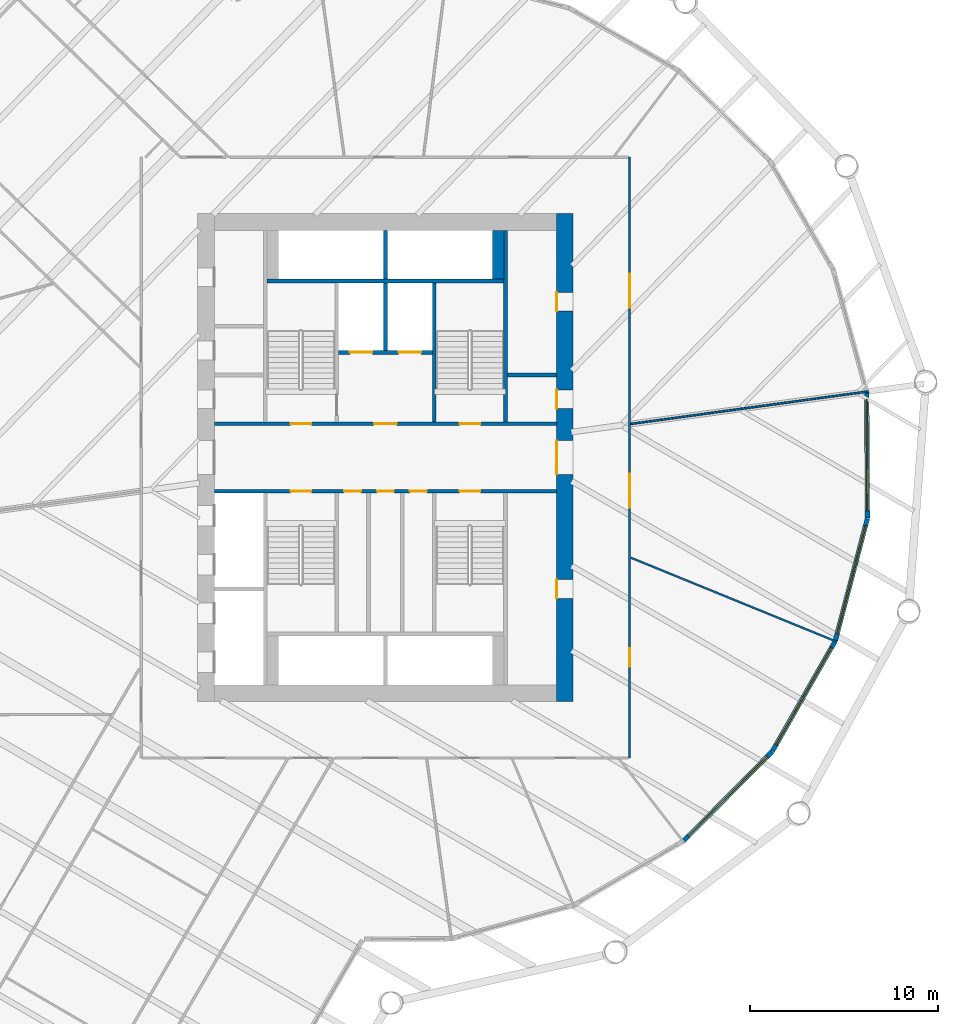
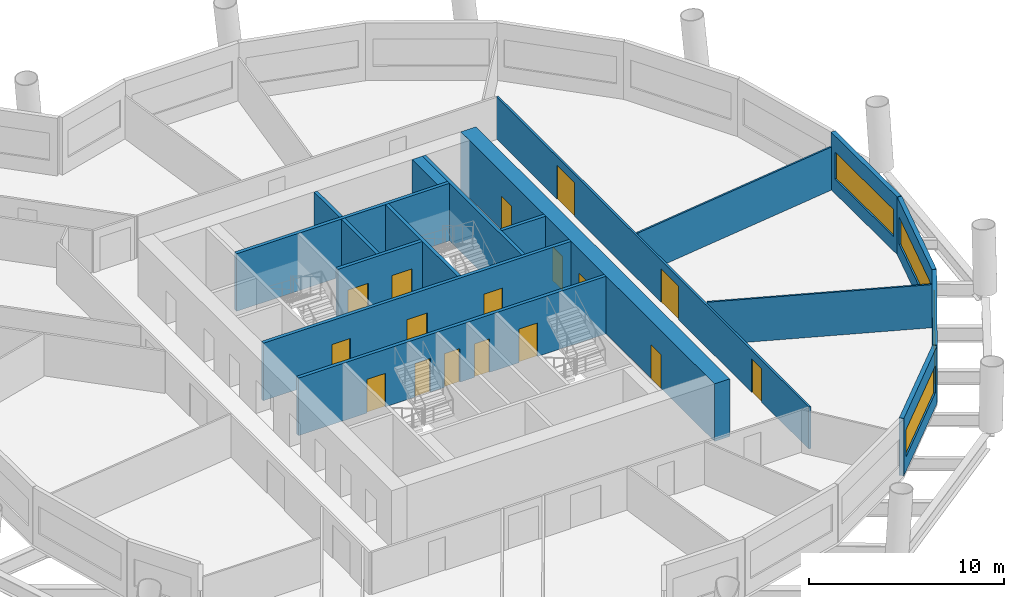
# One storey, part 5 of 12: 18 walls, 17 doors, 4 windows, 21 openings.
"""IFC4 building model written with IfcOpenShell, lengths in metres."""

from ifc_helpers import new_model, si_unit, direction, frame, frame_2d, origin, place, context, subcontext, project, spatial, rectangle, extrude, material, layer, layer_set, type_object, element, fill, save


model = new_model("IFC4")

# Units and contexts
model_context = context("Model", 3, precision=1e-05, world=origin(), true_north=direction((0.0, 1.0)))
body_context = subcontext(model_context, "Body", "Model", "MODEL_VIEW")
ifc_project = project(units=[si_unit("LENGTHUNIT", "METRE"), si_unit("AREAUNIT", "SQUARE_METRE"), si_unit("VOLUMEUNIT", "CUBIC_METRE"), si_unit("PLANEANGLEUNIT", "RADIAN"), si_unit("MASSUNIT", "GRAM", prefix="KILO")], contexts=[model_context])

# Site, building, storey
site_placement = place(None, origin())
site = spatial("IfcSite", under=ifc_project, at=site_placement, CompositionType="ELEMENT")
building_placement = place(site_placement, origin())
building = spatial("IfcBuilding", under=site, at=building_placement, Name="Tarsis Ring Headquarters", CompositionType="ELEMENT")
storey_placement = place(building_placement, frame((0.0, 0.0, 82.89990234375)))
storey = spatial("IfcBuildingStorey", under=building, at=storey_placement, Name="L18", CompositionType="ELEMENT", Elevation=82.89990234375)

# Wall
ifc_material_1 = material(Name="Blockwork", Category="masonry")
ifc_layer_1 = layer(ifc_material_1, 0.199951171875)
ifc_layer_set_1 = layer_set([ifc_layer_1], Name="Core blockwork wall 200")
wall_type_1 = type_object("IfcWallType", Name="Core blockwork wall 200", PredefinedType="PARTITIONING", material=ifc_layer_set_1)
wall_1_placement = place(storey_placement, frame((6.5, 4.39990234375, 0.0), z_axis=(0.0, 0.0, 1.0), x_axis=(1.0, 0.0, 0.0)))
element("IfcWall", 1, at=wall_1_placement, inside=storey, type_object=wall_type_1, Name="Core partition ED5", PredefinedType="PARTITIONING", context=body_context, shape_type="SweptSolid", body=[
    extrude(rectangle(XDim=2.60009765625, YDim=0.199951171875, at=frame_2d((1.300048828125, 0.0))), origin(), (0.0, 0.0, 1.0), 3.60009765625),
])

# Wall, openings, doors
ifc_material_2 = material(Name="Concrete C60/75", Category="concrete")
ifc_layer_2 = layer(ifc_material_2, 0.89990234375)
ifc_layer_set_2 = layer_set([ifc_layer_2], Name="Core wall 900 C60/75")
wall_type_2 = type_object("IfcWallType", Name="Core wall 900 C60/75", PredefinedType="SHEAR", material=ifc_layer_set_2)
wall_2_placement = place(storey_placement, frame((9.550048828125, -13.0, 0.0), z_axis=(0.0, 0.0, 1.0), x_axis=(0.0, 1.0, 0.0)))
wall_2 = element("IfcWall", 2, at=wall_2_placement, inside=storey, type_object=wall_type_2, Name="Core wall OE", PredefinedType="SHEAR", context=body_context, shape_type="SweptSolid", body=[
    extrude(rectangle(XDim=26.0, YDim=0.89990234375, at=frame_2d((13.0, 0.0))), origin(), (0.0, 0.0, 1.0), 3.60009765625),
])
opening_1_placement = place(wall_2_placement, frame((5.5, 0.0, 0.0)))
opening_1 = element("IfcOpeningElement", 3, at=opening_1_placement, cuts=wall_2, Name="Opening L18-C09", PredefinedType="OPENING", context=body_context, shape_type="SweptSolid", body=[
    extrude(rectangle(XDim=1.0, YDim=2.10009765625, at=frame_2d((0.5, 1.050048828125))), frame((0.0, 0.4599609375, 0.0), z_axis=(0.0, -1.0, 0.0), x_axis=(1.0, 0.0, 0.0)), (0.0, 0.0, 1.0), 0.919921875),
])
opening_2_placement = place(wall_2_placement, frame((12.10009765625, 0.0, 0.0)))
opening_2 = element("IfcOpeningElement", 4, at=opening_2_placement, cuts=wall_2, Name="Opening L18-C10", PredefinedType="OPENING", context=body_context, shape_type="SweptSolid", body=[
    extrude(rectangle(XDim=1.800048828125, YDim=2.10009765625, at=frame_2d((0.89990234375, 1.050048828125))), frame((0.0, 0.4599609375, 0.0), z_axis=(0.0, -1.0, 0.0), x_axis=(1.0, 0.0, 0.0)), (0.0, 0.0, 1.0), 0.919921875),
])
opening_3_placement = place(wall_2_placement, frame((15.60009765625, 0.0, 0.0)))
opening_3 = element("IfcOpeningElement", 5, at=opening_3_placement, cuts=wall_2, Name="Opening L18-C11", PredefinedType="OPENING", context=body_context, shape_type="SweptSolid", body=[
    extrude(rectangle(XDim=1.0, YDim=2.10009765625, at=frame_2d((0.5, 1.050048828125))), frame((0.0, 0.4599609375, 0.0), z_axis=(0.0, -1.0, 0.0), x_axis=(1.0, 0.0, 0.0)), (0.0, 0.0, 1.0), 0.919921875),
])
opening_4_placement = place(wall_2_placement, frame((20.800048828125, 0.0, 0.0)))
opening_4 = element("IfcOpeningElement", 6, at=opening_4_placement, cuts=wall_2, Name="Opening L18-C12", PredefinedType="OPENING", context=body_context, shape_type="SweptSolid", body=[
    extrude(rectangle(XDim=1.0, YDim=2.10009765625, at=frame_2d((0.5, 1.050048828125))), frame((0.0, 0.4599609375, 0.0), z_axis=(0.0, -1.0, 0.0), x_axis=(1.0, 0.0, 0.0)), (0.0, 0.0, 1.0), 0.919921875),
])
ifc_material_3 = material(Name="Steel S355", Category="steel")
door_type_1 = type_object("IfcDoorType", Name="Core entry door 1800x2100", OperationType="DOUBLE_DOOR_SINGLE_SWING", PredefinedType="DOOR", material=ifc_material_3)
door_1_placement = place(opening_2_placement, origin())
door_1 = element("IfcDoor", 7, at=door_1_placement, inside=storey, type_object=door_type_1, Name="Core entry door L18", OperationType="DOUBLE_DOOR_SINGLE_SWING", OverallHeight=2.10009765625, OverallWidth=1.800048828125, PredefinedType="DOOR", context=body_context, shape_type="SweptSolid", body=[
    extrude(rectangle(XDim=1.800048828125, YDim=2.10009765625, at=frame_2d((0.89990234375, 1.050048828125))), frame((0.0, 0.4501953125, 0.0), z_axis=(0.0, -1.0, 0.0), x_axis=(1.0, 0.0, 0.0)), (0.0, 0.0, 1.0), 0.050048828125),
])
fill(opening_2, door_1)
door_type_2 = type_object("IfcDoorType", Name="Core room door 1000x2100", OperationType="SINGLE_SWING_LEFT", PredefinedType="DOOR", material=ifc_material_3)
door_2_placement = place(opening_1_placement, origin())
door_2 = element("IfcDoor", 8, at=door_2_placement, inside=storey, type_object=door_type_2, Name="Core room door L18", OperationType="SINGLE_SWING_LEFT", OverallHeight=2.10009765625, OverallWidth=1.0, PredefinedType="DOOR", context=body_context, shape_type="SweptSolid", body=[
    extrude(rectangle(XDim=1.0, YDim=2.10009765625, at=frame_2d((0.5, 1.050048828125))), frame((0.0, 0.4501953125, 0.0), z_axis=(0.0, -1.0, 0.0), x_axis=(1.0, 0.0, 0.0)), (0.0, 0.0, 1.0), 0.050048828125),
])
fill(opening_1, door_2)
door_3_placement = place(opening_3_placement, origin())
door_3 = element("IfcDoor", 9, at=door_3_placement, inside=storey, type_object=door_type_2, Name="Core room door L18", OperationType="SINGLE_SWING_LEFT", OverallHeight=2.10009765625, OverallWidth=1.0, PredefinedType="DOOR", context=body_context, shape_type="SweptSolid", body=[
    extrude(rectangle(XDim=1.0, YDim=2.10009765625, at=frame_2d((0.5, 1.050048828125))), frame((0.0, 0.4501953125, 0.0), z_axis=(0.0, -1.0, 0.0), x_axis=(1.0, 0.0, 0.0)), (0.0, 0.0, 1.0), 0.050048828125),
])
fill(opening_3, door_3)
door_4_placement = place(opening_4_placement, origin())
door_4 = element("IfcDoor", 10, at=door_4_placement, inside=storey, type_object=door_type_2, Name="Core room door L18", OperationType="SINGLE_SWING_LEFT", OverallHeight=2.10009765625, OverallWidth=1.0, PredefinedType="DOOR", context=body_context, shape_type="SweptSolid", body=[
    extrude(rectangle(XDim=1.0, YDim=2.10009765625, at=frame_2d((0.5, 1.050048828125))), frame((0.0, 0.4501953125, 0.0), z_axis=(0.0, -1.0, 0.0), x_axis=(1.0, 0.0, 0.0)), (0.0, 0.0, 1.0), 0.050048828125),
])
fill(opening_4, door_4)

# Walls
ifc_material_4 = material(Name="Gypsum board on steel studs", Category="steel")
ifc_layer_3 = layer(ifc_material_4, 0.10009765625)
ifc_layer_set_3 = layer_set([ifc_layer_3], Name="FL partition 100 unrated")
wall_type_3 = type_object("IfcWallType", Name="FL partition 100 unrated", PredefinedType="PARTITIONING", material=ifc_layer_set_3)
wall_3_placement = place(storey_placement, frame((13.0693359375, 1.790283203125, 0.0), z_axis=(0.0, 0.0, 1.0), x_axis=(0.990748347222, 0.135711873011, 0.0)))
element("IfcWall", 11, at=wall_3_placement, inside=storey, type_object=wall_type_3, Name="Partition PW3", PredefinedType="PARTITIONING", context=body_context, shape_type="SweptSolid", body=[
    extrude(rectangle(XDim=12.75634765625, YDim=0.10009765625, at=frame_2d((6.378173828125, 0.0))), origin(), (0.0, 0.0, 1.0), 2.7001953125),
])
wall_4_placement = place(storey_placement, frame((13.07421875, -5.33544921875, 0.0), z_axis=(0.0, 0.0, 1.0), x_axis=(0.925868867203, -0.377844995659, 0.0)))
element("IfcWall", 12, at=wall_4_placement, inside=storey, type_object=wall_type_3, Name="Partition PW3", PredefinedType="PARTITIONING", context=body_context, shape_type="SweptSolid", body=[
    extrude(rectangle(XDim=11.826904296875, YDim=0.10009765625, at=frame_2d((5.91357421875, 0.0))), origin(), (0.0, 0.0, 1.0), 2.7001953125),
])

# Wall, openings, doors
ifc_layer_4 = layer(ifc_material_4, 0.125)
ifc_layer_set_4 = layer_set([ifc_layer_4], Name="FL partition 125 EI 60 H2630")
wall_type_4 = type_object("IfcWallType", Name="FL partition 125 EI 60 H2630", PredefinedType="PARTITIONING", material=ifc_layer_set_4)
wall_5_placement = place(storey_placement, frame((13.0, -16.0, 0.0), z_axis=(0.0, 0.0, 1.0), x_axis=(0.0, 1.0, 0.0)))
wall_5 = element("IfcWall", 13, at=wall_5_placement, inside=storey, type_object=wall_type_4, Name="Partition PW1H263", PredefinedType="PARTITIONING", context=body_context, shape_type="SweptSolid", body=[
    extrude(rectangle(XDim=32.0, YDim=0.125, at=frame_2d((16.0, 0.0))), origin(), (0.0, 0.0, 1.0), 2.630126953125),
])
opening_5_placement = place(wall_5_placement, frame((23.990478515625, 0.0, 0.0)))
opening_5 = element("IfcOpeningElement", 14, at=opening_5_placement, cuts=wall_5, Name="Opening D18.08", PredefinedType="OPENING", context=body_context, shape_type="SweptSolid", body=[
    extrude(rectangle(XDim=1.800048828125, YDim=2.10009765625, at=frame_2d((0.89990234375, 1.050048828125))), frame((0.0, 0.072509765625, 0.0), z_axis=(0.0, -1.0, 0.0), x_axis=(1.0, 0.0, 0.0)), (0.0, 0.0, 1.0), 0.14501953125),
])
opening_6_placement = place(wall_5_placement, frame((13.337890625, 0.0, 0.0)))
opening_6 = element("IfcOpeningElement", 15, at=opening_6_placement, cuts=wall_5, Name="Opening D18.09", PredefinedType="OPENING", context=body_context, shape_type="SweptSolid", body=[
    extrude(rectangle(XDim=1.800048828125, YDim=2.10009765625, at=frame_2d((0.89990234375, 1.050048828125))), frame((0.0, 0.072509765625, 0.0), z_axis=(0.0, -1.0, 0.0), x_axis=(1.0, 0.0, 0.0)), (0.0, 0.0, 1.0), 0.14501953125),
])
opening_7_placement = place(wall_5_placement, frame((4.847412109375, 0.0, 0.0)))
opening_7 = element("IfcOpeningElement", 16, at=opening_7_placement, cuts=wall_5, Name="Opening D18.10", PredefinedType="OPENING", context=body_context, shape_type="SweptSolid", body=[
    extrude(rectangle(XDim=1.0, YDim=2.10009765625, at=frame_2d((0.5, 1.050048828125))), frame((0.0, 0.072509765625, 0.0), z_axis=(0.0, -1.0, 0.0), x_axis=(1.0, 0.0, 0.0)), (0.0, 0.0, 1.0), 0.14501953125),
])
ifc_material_5 = material(Name="Fire-rated timber door leaf in steel frame", Category="steel")
door_type_3 = type_object("IfcDoorType", Name="FL door FD60-1000", OperationType="NOTDEFINED", PredefinedType="DOOR", material=ifc_material_5)
door_5_placement = place(opening_7_placement, origin())
door_5 = element("IfcDoor", 17, at=door_5_placement, inside=storey, type_object=door_type_3, Name="Door D18.10", OperationType="SINGLE_SWING_RIGHT", OverallHeight=2.10009765625, OverallWidth=1.0, PredefinedType="DOOR", context=body_context, shape_type="SweptSolid", body=[
    extrude(rectangle(XDim=1.0, YDim=2.10009765625, at=frame_2d((0.5, 1.050048828125))), frame((0.0, 0.02490234375, 0.0), z_axis=(0.0, -1.0, 0.0), x_axis=(1.0, 0.0, 0.0)), (0.0, 0.0, 1.0), 0.050048828125),
])
fill(opening_7, door_5)
door_type_4 = type_object("IfcDoorType", Name="FL door FD60-1800", OperationType="DOUBLE_DOOR_SINGLE_SWING", PredefinedType="DOOR", material=ifc_material_5)
door_6_placement = place(opening_5_placement, origin())
door_6 = element("IfcDoor", 18, at=door_6_placement, inside=storey, type_object=door_type_4, Name="Door D18.08", OperationType="DOUBLE_DOOR_SINGLE_SWING", OverallHeight=2.10009765625, OverallWidth=1.800048828125, PredefinedType="DOOR", context=body_context, shape_type="SweptSolid", body=[
    extrude(rectangle(XDim=1.800048828125, YDim=2.10009765625, at=frame_2d((0.89990234375, 1.050048828125))), frame((0.0, 0.02490234375, 0.0), z_axis=(0.0, -1.0, 0.0), x_axis=(1.0, 0.0, 0.0)), (0.0, 0.0, 1.0), 0.050048828125),
])
fill(opening_5, door_6)
door_7_placement = place(opening_6_placement, origin())
door_7 = element("IfcDoor", 19, at=door_7_placement, inside=storey, type_object=door_type_4, Name="Door D18.09", OperationType="DOUBLE_DOOR_SINGLE_SWING", OverallHeight=2.10009765625, OverallWidth=1.800048828125, PredefinedType="DOOR", context=body_context, shape_type="SweptSolid", body=[
    extrude(rectangle(XDim=1.800048828125, YDim=2.10009765625, at=frame_2d((0.89990234375, 1.050048828125))), frame((0.0, 0.02490234375, 0.0), z_axis=(0.0, -1.0, 0.0), x_axis=(1.0, 0.0, 0.0)), (0.0, 0.0, 1.0), 0.050048828125),
])
fill(opening_6, door_7)

# Wall, opening, window
ifc_material_6 = material(Name="Terracotta clad insulated panel wall", Category="masonry")
ifc_layer_5 = layer(ifc_material_6, 0.25)
ifc_layer_set_5 = layer_set([ifc_layer_5], Name="Facade wall terracotta panel 250")
wall_type_5 = type_object("IfcWallType", Name="Facade wall terracotta panel 250", PredefinedType="STANDARD", material=ifc_layer_set_5)
wall_6_placement = place(storey_placement, frame((15.869873046875, -20.4326171875, 0.0), z_axis=(0.0, 0.0, 1.0), x_axis=(0.703392143499, 0.710802006514, 0.0)))
wall_6 = element("IfcWall", 20, at=wall_6_placement, inside=storey, type_object=wall_type_5, Name="External wall L18-20", PredefinedType="STANDARD", context=body_context, shape_type="SweptSolid", body=[
    extrude(rectangle(XDim=6.721435546875, YDim=0.25, at=frame_2d((3.36083984375, 0.0))), origin(), (0.0, 0.0, 1.0), 3.60009765625),
])
opening_8_placement = place(wall_6_placement, frame((0.3857421875, 0.0, 0.89990234375)))
opening_8 = element("IfcOpeningElement", 21, at=opening_8_placement, cuts=wall_6, Name="Opening WN07", PredefinedType="OPENING", context=body_context, shape_type="SweptSolid", body=[
    extrude(rectangle(XDim=5.949951171875, YDim=1.699951171875, at=frame_2d((2.97509765625, 0.85009765625))), frame((0.0, 0.135009765625, 0.0), z_axis=(0.0, -1.0, 0.0), x_axis=(1.0, 0.0, 0.0)), (0.0, 0.0, 1.0), 0.27001953125),
])
ifc_material_7 = material(Name="Aluminium framed double glazing", Category="aluminium")
window_type = type_object("IfcWindowType", Name="Facade window 5950 x 1700", PartitioningType="SINGLE_PANEL", PredefinedType="WINDOW", material=ifc_material_7)
window_1_placement = place(opening_8_placement, origin())
window_1 = element("IfcWindow", 22, at=window_1_placement, inside=storey, type_object=window_type, Name="Window L18-20.1", OverallHeight=1.699951171875, OverallWidth=5.949951171875, PartitioningType="SINGLE_PANEL", PredefinedType="WINDOW", context=body_context, shape_type="SweptSolid", body=[
    extrude(rectangle(XDim=5.949951171875, YDim=1.699951171875, at=frame_2d((2.97509765625, 0.85009765625))), frame((0.0, 0.030029296875, 0.0), z_axis=(0.0, -1.0, 0.0), x_axis=(1.0, 0.0, 0.0)), (0.0, 0.0, 1.0), 0.06005859375),
])
fill(opening_8, window_1)

wall_7_placement = place(storey_placement, frame((20.617431640625, -15.629150390625, 0.0), z_axis=(0.0, 0.0, 1.0), x_axis=(0.49546208949, 0.868629563093, 0.0)))
wall_7 = element("IfcWall", 23, at=wall_7_placement, inside=storey, type_object=wall_type_5, Name="External wall L18-21", PredefinedType="STANDARD", context=body_context, shape_type="SweptSolid", body=[
    extrude(rectangle(XDim=6.7216796875, YDim=0.25, at=frame_2d((3.36083984375, 0.0))), origin(), (0.0, 0.0, 1.0), 3.60009765625),
])
opening_9_placement = place(wall_7_placement, frame((0.3857421875, 0.0, 0.89990234375)))
opening_9 = element("IfcOpeningElement", 24, at=opening_9_placement, cuts=wall_7, Name="Opening WN07", PredefinedType="OPENING", context=body_context, shape_type="SweptSolid", body=[
    extrude(rectangle(XDim=5.949951171875, YDim=1.699951171875, at=frame_2d((2.97509765625, 0.85009765625))), frame((0.0, 0.135009765625, 0.0), z_axis=(0.0, -1.0, 0.0), x_axis=(1.0, 0.0, 0.0)), (0.0, 0.0, 1.0), 0.27001953125),
])
window_2_placement = place(opening_9_placement, origin())
window_2 = element("IfcWindow", 25, at=window_2_placement, inside=storey, type_object=window_type, Name="Window L18-21.1", OverallHeight=1.699951171875, OverallWidth=5.949951171875, PartitioningType="SINGLE_PANEL", PredefinedType="WINDOW", context=body_context, shape_type="SweptSolid", body=[
    extrude(rectangle(XDim=5.949951171875, YDim=1.699951171875, at=frame_2d((2.97509765625, 0.85009765625))), frame((0.0, 0.030029296875, 0.0), z_axis=(0.0, -1.0, 0.0), x_axis=(1.0, 0.0, 0.0)), (0.0, 0.0, 1.0), 0.06005859375),
])
fill(opening_9, window_2)

wall_8_placement = place(storey_placement, frame((23.9599609375, -9.76025390625, 0.0), z_axis=(0.0, 0.0, 1.0), x_axis=(0.253783441606, 0.967261063398, 0.0)))
wall_8 = element("IfcWall", 26, at=wall_8_placement, inside=storey, type_object=wall_type_5, Name="External wall L18-22", PredefinedType="STANDARD", context=body_context, shape_type="SweptSolid", body=[
    extrude(rectangle(XDim=6.721435546875, YDim=0.25, at=frame_2d((3.36083984375, 0.0))), origin(), (0.0, 0.0, 1.0), 3.60009765625),
])
opening_10_placement = place(wall_8_placement, frame((0.3857421875, 0.0, 0.89990234375)))
opening_10 = element("IfcOpeningElement", 27, at=opening_10_placement, cuts=wall_8, Name="Opening WN07", PredefinedType="OPENING", context=body_context, shape_type="SweptSolid", body=[
    extrude(rectangle(XDim=5.949951171875, YDim=1.699951171875, at=frame_2d((2.97509765625, 0.85009765625))), frame((0.0, 0.135009765625, 0.0), z_axis=(0.0, -1.0, 0.0), x_axis=(1.0, 0.0, 0.0)), (0.0, 0.0, 1.0), 0.27001953125),
])
window_3_placement = place(opening_10_placement, origin())
window_3 = element("IfcWindow", 28, at=window_3_placement, inside=storey, type_object=window_type, Name="Window L18-22.1", OverallHeight=1.699951171875, OverallWidth=5.949951171875, PartitioningType="SINGLE_PANEL", PredefinedType="WINDOW", context=body_context, shape_type="SweptSolid", body=[
    extrude(rectangle(XDim=5.949951171875, YDim=1.699951171875, at=frame_2d((2.97509765625, 0.85009765625))), frame((0.0, 0.030029296875, 0.0), z_axis=(0.0, -1.0, 0.0), x_axis=(1.0, 0.0, 0.0)), (0.0, 0.0, 1.0), 0.06005859375),
])
fill(opening_10, window_3)

wall_9_placement = place(storey_placement, frame((25.669921875, -3.226318359375, 0.0), z_axis=(0.0, 0.0, 1.0), x_axis=(-0.005266717117, 0.999986130749, 0.0)))
wall_9 = element("IfcWall", 29, at=wall_9_placement, inside=storey, type_object=wall_type_5, Name="External wall L18-23", PredefinedType="STANDARD", context=body_context, shape_type="SweptSolid", body=[
    extrude(rectangle(XDim=6.721435546875, YDim=0.25, at=frame_2d((3.36083984375, 0.0))), origin(), (0.0, 0.0, 1.0), 3.60009765625),
])
opening_11_placement = place(wall_9_placement, frame((0.3857421875, 0.0, 0.89990234375)))
opening_11 = element("IfcOpeningElement", 30, at=opening_11_placement, cuts=wall_9, Name="Opening WN07", PredefinedType="OPENING", context=body_context, shape_type="SweptSolid", body=[
    extrude(rectangle(XDim=5.949951171875, YDim=1.699951171875, at=frame_2d((2.97509765625, 0.85009765625))), frame((0.0, 0.135009765625, 0.0), z_axis=(0.0, -1.0, 0.0), x_axis=(1.0, 0.0, 0.0)), (0.0, 0.0, 1.0), 0.27001953125),
])
window_4_placement = place(opening_11_placement, origin())
window_4 = element("IfcWindow", 31, at=window_4_placement, inside=storey, type_object=window_type, Name="Window L18-23.1", OverallHeight=1.699951171875, OverallWidth=5.949951171875, PartitioningType="SINGLE_PANEL", PredefinedType="WINDOW", context=body_context, shape_type="SweptSolid", body=[
    extrude(rectangle(XDim=5.949951171875, YDim=1.699951171875, at=frame_2d((2.97509765625, 0.85009765625))), frame((0.0, 0.030029296875, 0.0), z_axis=(0.0, -1.0, 0.0), x_axis=(1.0, 0.0, 0.0)), (0.0, 0.0, 1.0), 0.06005859375),
])
fill(opening_11, window_4)

# Wall
ifc_material_8 = material(Name="Concrete C32/40", Category="concrete")
ifc_layer_6 = layer(ifc_material_8, 0.60009765625)
ifc_layer_set_6 = layer_set([ifc_layer_6], Name="Shaft end wall 600 C32/40")
wall_type_6 = type_object("IfcWallType", Name="Shaft end wall 600 C32/40", PredefinedType="SOLIDWALL", material=ifc_layer_set_6)
wall_10_placement = place(storey_placement, frame((6.0, 9.5, 0.0), z_axis=(0.0, 0.0, 1.0), x_axis=(0.0, 1.0, 0.0)))
element("IfcWall", 32, at=wall_10_placement, inside=storey, type_object=wall_type_6, Name="Core shaft wall NNE2", PredefinedType="SOLIDWALL", context=body_context, shape_type="SweptSolid", body=[
    extrude(rectangle(XDim=2.60009765625, YDim=0.60009765625, at=frame_2d((1.300048828125, 0.0))), origin(), (0.0, 0.0, 1.0), 3.60009765625),
])

# Wall, openings, doors
ifc_layer_7 = layer(ifc_material_8, 0.199951171875)
ifc_layer_set_7 = layer_set([ifc_layer_7], Name="Shaft wall 200 C32/40")
wall_type_7 = type_object("IfcWallType", Name="Shaft wall 200 C32/40", PredefinedType="SOLIDWALL", material=ifc_layer_set_7)
wall_11_placement = place(storey_placement, frame((-9.10009765625, 1.800048828125, 0.0), z_axis=(0.0, 0.0, 1.0), x_axis=(1.0, 0.0, 0.0)))
wall_11 = element("IfcWall", 33, at=wall_11_placement, inside=storey, type_object=wall_type_7, Name="Core shaft wall CN", PredefinedType="SOLIDWALL", context=body_context, shape_type="SweptSolid", body=[
    extrude(rectangle(XDim=18.2001953125, YDim=0.199951171875, at=frame_2d((9.10009765625, 0.0))), origin(), (0.0, 0.0, 1.0), 3.60009765625),
])
opening_12_placement = place(wall_11_placement, frame((4.050048828125, 0.0, 0.0)))
opening_12 = element("IfcOpeningElement", 34, at=opening_12_placement, cuts=wall_11, Name="Opening L18-C13", PredefinedType="OPENING", context=body_context, shape_type="SweptSolid", body=[
    extrude(rectangle(XDim=1.10009765625, YDim=2.10009765625, at=frame_2d((0.550048828125, 1.050048828125))), frame((0.0, 0.10986328125, 0.0), z_axis=(0.0, -1.0, 0.0), x_axis=(1.0, 0.0, 0.0)), (0.0, 0.0, 1.0), 0.219970703125),
])
opening_13_placement = place(wall_11_placement, frame((8.5, 0.0, 0.0)))
opening_13 = element("IfcOpeningElement", 35, at=opening_13_placement, cuts=wall_11, Name="Opening L18-C14", PredefinedType="OPENING", context=body_context, shape_type="SweptSolid", body=[
    extrude(rectangle(XDim=1.199951171875, YDim=2.10009765625, at=frame_2d((0.60009765625, 1.050048828125))), frame((0.0, 0.10986328125, 0.0), z_axis=(0.0, -1.0, 0.0), x_axis=(1.0, 0.0, 0.0)), (0.0, 0.0, 1.0), 0.219970703125),
])
opening_14_placement = place(wall_11_placement, frame((13.050048828125, 0.0, 0.0)))
opening_14 = element("IfcOpeningElement", 36, at=opening_14_placement, cuts=wall_11, Name="Opening L18-C15", PredefinedType="OPENING", context=body_context, shape_type="SweptSolid", body=[
    extrude(rectangle(XDim=1.10009765625, YDim=2.10009765625, at=frame_2d((0.550048828125, 1.050048828125))), frame((0.0, 0.10986328125, 0.0), z_axis=(0.0, -1.0, 0.0), x_axis=(1.0, 0.0, 0.0)), (0.0, 0.0, 1.0), 0.219970703125),
])
door_type_5 = type_object("IfcDoorType", Name="Firefighting lobby door 1200x2100", OperationType="DOUBLE_DOOR_SINGLE_SWING", PredefinedType="DOOR", material=ifc_material_3)
door_8_placement = place(opening_13_placement, origin())
door_8 = element("IfcDoor", 37, at=door_8_placement, inside=storey, type_object=door_type_5, Name="Firefighting lobby door L18", OperationType="DOUBLE_DOOR_SINGLE_SWING", OverallHeight=2.10009765625, OverallWidth=1.199951171875, PredefinedType="DOOR", context=body_context, shape_type="SweptSolid", body=[
    extrude(rectangle(XDim=1.199951171875, YDim=2.10009765625, at=frame_2d((0.60009765625, 1.050048828125))), frame((0.0, 0.02490234375, 0.0), z_axis=(0.0, -1.0, 0.0), x_axis=(1.0, 0.0, 0.0)), (0.0, 0.0, 1.0), 0.050048828125),
])
fill(opening_13, door_8)
door_type_6 = type_object("IfcDoorType", Name="Stair door 1100x2100", OperationType="SINGLE_SWING_LEFT", PredefinedType="DOOR", material=ifc_material_3)
door_9_placement = place(opening_12_placement, origin())
door_9 = element("IfcDoor", 38, at=door_9_placement, inside=storey, type_object=door_type_6, Name="Stair door L18", OperationType="SINGLE_SWING_LEFT", OverallHeight=2.10009765625, OverallWidth=1.10009765625, PredefinedType="DOOR", context=body_context, shape_type="SweptSolid", body=[
    extrude(rectangle(XDim=1.10009765625, YDim=2.10009765625, at=frame_2d((0.550048828125, 1.050048828125))), frame((0.0, 0.02490234375, 0.0), z_axis=(0.0, -1.0, 0.0), x_axis=(1.0, 0.0, 0.0)), (0.0, 0.0, 1.0), 0.050048828125),
])
fill(opening_12, door_9)
door_10_placement = place(opening_14_placement, origin())
door_10 = element("IfcDoor", 39, at=door_10_placement, inside=storey, type_object=door_type_6, Name="Stair door L18", OperationType="SINGLE_SWING_LEFT", OverallHeight=2.10009765625, OverallWidth=1.10009765625, PredefinedType="DOOR", context=body_context, shape_type="SweptSolid", body=[
    extrude(rectangle(XDim=1.10009765625, YDim=2.10009765625, at=frame_2d((0.550048828125, 1.050048828125))), frame((0.0, 0.02490234375, 0.0), z_axis=(0.0, -1.0, 0.0), x_axis=(1.0, 0.0, 0.0)), (0.0, 0.0, 1.0), 0.050048828125),
])
fill(opening_14, door_10)

wall_12_placement = place(storey_placement, frame((-9.10009765625, -1.800048828125, 0.0), z_axis=(0.0, 0.0, 1.0), x_axis=(1.0, 0.0, 0.0)))
wall_12 = element("IfcWall", 40, at=wall_12_placement, inside=storey, type_object=wall_type_7, Name="Core shaft wall CS", PredefinedType="SOLIDWALL", context=body_context, shape_type="SweptSolid", body=[
    extrude(rectangle(XDim=18.2001953125, YDim=0.199951171875, at=frame_2d((9.10009765625, 0.0))), origin(), (0.0, 0.0, 1.0), 3.60009765625),
])
opening_15_placement = place(wall_12_placement, frame((4.050048828125, 0.0, 0.0)))
opening_15 = element("IfcOpeningElement", 41, at=opening_15_placement, cuts=wall_12, Name="Opening L18-C16", PredefinedType="OPENING", context=body_context, shape_type="SweptSolid", body=[
    extrude(rectangle(XDim=1.10009765625, YDim=2.10009765625, at=frame_2d((0.550048828125, 1.050048828125))), frame((0.0, 0.10986328125, 0.0), z_axis=(0.0, -1.0, 0.0), x_axis=(1.0, 0.0, 0.0)), (0.0, 0.0, 1.0), 0.219970703125),
])
opening_16_placement = place(wall_12_placement, frame((6.89990234375, 0.0, 0.0)))
opening_16 = element("IfcOpeningElement", 42, at=opening_16_placement, cuts=wall_12, Name="Opening L18-C17", PredefinedType="OPENING", context=body_context, shape_type="SweptSolid", body=[
    extrude(rectangle(XDim=0.89990234375, YDim=2.10009765625, at=frame_2d((0.449951171875, 1.050048828125))), frame((0.0, 0.10986328125, 0.0), z_axis=(0.0, -1.0, 0.0), x_axis=(1.0, 0.0, 0.0)), (0.0, 0.0, 1.0), 0.219970703125),
])
opening_17_placement = place(wall_12_placement, frame((8.64990234375, 0.0, 0.0)))
opening_17 = element("IfcOpeningElement", 43, at=opening_17_placement, cuts=wall_12, Name="Opening L18-C18", PredefinedType="OPENING", context=body_context, shape_type="SweptSolid", body=[
    extrude(rectangle(XDim=0.89990234375, YDim=2.10009765625, at=frame_2d((0.449951171875, 1.050048828125))), frame((0.0, 0.10986328125, 0.0), z_axis=(0.0, -1.0, 0.0), x_axis=(1.0, 0.0, 0.0)), (0.0, 0.0, 1.0), 0.219970703125),
])
opening_18_placement = place(wall_12_placement, frame((10.39990234375, 0.0, 0.0)))
opening_18 = element("IfcOpeningElement", 44, at=opening_18_placement, cuts=wall_12, Name="Opening L18-C19", PredefinedType="OPENING", context=body_context, shape_type="SweptSolid", body=[
    extrude(rectangle(XDim=0.89990234375, YDim=2.10009765625, at=frame_2d((0.449951171875, 1.050048828125))), frame((0.0, 0.10986328125, 0.0), z_axis=(0.0, -1.0, 0.0), x_axis=(1.0, 0.0, 0.0)), (0.0, 0.0, 1.0), 0.219970703125),
])
opening_19_placement = place(wall_12_placement, frame((13.050048828125, 0.0, 0.0)))
opening_19 = element("IfcOpeningElement", 45, at=opening_19_placement, cuts=wall_12, Name="Opening L18-C20", PredefinedType="OPENING", context=body_context, shape_type="SweptSolid", body=[
    extrude(rectangle(XDim=1.10009765625, YDim=2.10009765625, at=frame_2d((0.550048828125, 1.050048828125))), frame((0.0, 0.10986328125, 0.0), z_axis=(0.0, -1.0, 0.0), x_axis=(1.0, 0.0, 0.0)), (0.0, 0.0, 1.0), 0.219970703125),
])
door_11_placement = place(opening_15_placement, origin())
door_11 = element("IfcDoor", 46, at=door_11_placement, inside=storey, type_object=door_type_6, Name="Stair door L18", OperationType="SINGLE_SWING_LEFT", OverallHeight=2.10009765625, OverallWidth=1.10009765625, PredefinedType="DOOR", context=body_context, shape_type="SweptSolid", body=[
    extrude(rectangle(XDim=1.10009765625, YDim=2.10009765625, at=frame_2d((0.550048828125, 1.050048828125))), frame((0.0, 0.02490234375, 0.0), z_axis=(0.0, -1.0, 0.0), x_axis=(1.0, 0.0, 0.0)), (0.0, 0.0, 1.0), 0.050048828125),
])
fill(opening_15, door_11)
door_12_placement = place(opening_19_placement, origin())
door_12 = element("IfcDoor", 47, at=door_12_placement, inside=storey, type_object=door_type_6, Name="Stair door L18", OperationType="SINGLE_SWING_LEFT", OverallHeight=2.10009765625, OverallWidth=1.10009765625, PredefinedType="DOOR", context=body_context, shape_type="SweptSolid", body=[
    extrude(rectangle(XDim=1.10009765625, YDim=2.10009765625, at=frame_2d((0.550048828125, 1.050048828125))), frame((0.0, 0.02490234375, 0.0), z_axis=(0.0, -1.0, 0.0), x_axis=(1.0, 0.0, 0.0)), (0.0, 0.0, 1.0), 0.050048828125),
])
fill(opening_19, door_12)
door_type_7 = type_object("IfcDoorType", Name="WC door 900x2100", OperationType="SINGLE_SWING_LEFT", PredefinedType="DOOR", material=ifc_material_3)
door_13_placement = place(opening_16_placement, origin())
door_13 = element("IfcDoor", 48, at=door_13_placement, inside=storey, type_object=door_type_7, Name="WC door L18", OperationType="SINGLE_SWING_LEFT", OverallHeight=2.10009765625, OverallWidth=0.89990234375, PredefinedType="DOOR", context=body_context, shape_type="SweptSolid", body=[
    extrude(rectangle(XDim=0.89990234375, YDim=2.10009765625, at=frame_2d((0.449951171875, 1.050048828125))), frame((0.0, 0.02490234375, 0.0), z_axis=(0.0, -1.0, 0.0), x_axis=(1.0, 0.0, 0.0)), (0.0, 0.0, 1.0), 0.050048828125),
])
fill(opening_16, door_13)
door_14_placement = place(opening_17_placement, origin())
door_14 = element("IfcDoor", 49, at=door_14_placement, inside=storey, type_object=door_type_7, Name="WC door L18", OperationType="SINGLE_SWING_LEFT", OverallHeight=2.10009765625, OverallWidth=0.89990234375, PredefinedType="DOOR", context=body_context, shape_type="SweptSolid", body=[
    extrude(rectangle(XDim=0.89990234375, YDim=2.10009765625, at=frame_2d((0.449951171875, 1.050048828125))), frame((0.0, 0.02490234375, 0.0), z_axis=(0.0, -1.0, 0.0), x_axis=(1.0, 0.0, 0.0)), (0.0, 0.0, 1.0), 0.050048828125),
])
fill(opening_17, door_14)
door_15_placement = place(opening_18_placement, origin())
door_15 = element("IfcDoor", 50, at=door_15_placement, inside=storey, type_object=door_type_7, Name="WC door L18", OperationType="SINGLE_SWING_LEFT", OverallHeight=2.10009765625, OverallWidth=0.89990234375, PredefinedType="DOOR", context=body_context, shape_type="SweptSolid", body=[
    extrude(rectangle(XDim=0.89990234375, YDim=2.10009765625, at=frame_2d((0.449951171875, 1.050048828125))), frame((0.0, 0.02490234375, 0.0), z_axis=(0.0, -1.0, 0.0), x_axis=(1.0, 0.0, 0.0)), (0.0, 0.0, 1.0), 0.050048828125),
])
fill(opening_18, door_15)

# Walls
wall_13_placement = place(storey_placement, frame((6.39990234375, 1.89990234375, 0.0), z_axis=(0.0, 0.0, 1.0), x_axis=(0.0, 1.0, 0.0)))
element("IfcWall", 51, at=wall_13_placement, inside=storey, type_object=wall_type_7, Name="Core shaft wall EB2", PredefinedType="SOLIDWALL", context=body_context, shape_type="SweptSolid", body=[
    extrude(rectangle(XDim=10.2001953125, YDim=0.199951171875, at=frame_2d((5.10009765625, 0.0))), origin(), (0.0, 0.0, 1.0), 3.60009765625),
])
wall_14_placement = place(storey_placement, frame((-6.300048828125, 9.39990234375, 0.0), z_axis=(0.0, 0.0, 1.0), x_axis=(1.0, 0.0, 0.0)))
element("IfcWall", 52, at=wall_14_placement, inside=storey, type_object=wall_type_7, Name="Core shaft wall NB", PredefinedType="SOLIDWALL", context=body_context, shape_type="SweptSolid", body=[
    extrude(rectangle(XDim=12.60009765625, YDim=0.199951171875, at=frame_2d((6.300048828125, 0.0))), origin(), (0.0, 0.0, 1.0), 3.60009765625),
])
wall_15_placement = place(storey_placement, frame((2.60009765625, 1.89990234375, 0.0), z_axis=(0.0, 0.0, 1.0), x_axis=(0.0, 1.0, 0.0)))
element("IfcWall", 53, at=wall_15_placement, inside=storey, type_object=wall_type_7, Name="Core shaft wall SW2", PredefinedType="SOLIDWALL", context=body_context, shape_type="SweptSolid", body=[
    extrude(rectangle(XDim=7.400146484375, YDim=0.199951171875, at=frame_2d((3.7001953125, 0.0))), origin(), (0.0, 0.0, 1.0), 3.60009765625),
])

# Wall, openings, doors
wall_16_placement = place(storey_placement, frame((-2.5, 5.60009765625, 0.0), z_axis=(0.0, 0.0, 1.0), x_axis=(1.0, 0.0, 0.0)))
wall_16 = element("IfcWall", 54, at=wall_16_placement, inside=storey, type_object=wall_type_7, Name="Core shaft wall FFN", PredefinedType="SOLIDWALL", context=body_context, shape_type="SweptSolid", body=[
    extrude(rectangle(XDim=5.0, YDim=0.199951171875, at=frame_2d((2.5, 0.0))), origin(), (0.0, 0.0, 1.0), 3.60009765625),
])
opening_20_placement = place(wall_16_placement, frame((0.60009765625, 0.0, 0.0)))
opening_20 = element("IfcOpeningElement", 55, at=opening_20_placement, cuts=wall_16, Name="Opening LDF-1", PredefinedType="OPENING", context=body_context, shape_type="SweptSolid", body=[
    extrude(rectangle(XDim=1.199951171875, YDim=2.10009765625, at=frame_2d((0.60009765625, 1.050048828125))), frame((0.0, 0.10986328125, 0.0), z_axis=(0.0, -1.0, 0.0), x_axis=(1.0, 0.0, 0.0)), (0.0, 0.0, 1.0), 0.219970703125),
])
opening_21_placement = place(wall_16_placement, frame((3.199951171875, 0.0, 0.0)))
opening_21 = element("IfcOpeningElement", 56, at=opening_21_placement, cuts=wall_16, Name="Opening LDF-2", PredefinedType="OPENING", context=body_context, shape_type="SweptSolid", body=[
    extrude(rectangle(XDim=1.199951171875, YDim=2.10009765625, at=frame_2d((0.60009765625, 1.050048828125))), frame((0.0, 0.10986328125, 0.0), z_axis=(0.0, -1.0, 0.0), x_axis=(1.0, 0.0, 0.0)), (0.0, 0.0, 1.0), 0.219970703125),
])
door_type_8 = type_object("IfcDoorType", Name="Firefighting landing door 1200x2100", OperationType="SLIDING_TO_LEFT", PredefinedType="DOOR", material=ifc_material_3)
door_16_placement = place(opening_20_placement, origin())
door_16 = element("IfcDoor", 57, at=door_16_placement, inside=storey, type_object=door_type_8, Name="Landing door FF1 L18", OperationType="SLIDING_TO_LEFT", OverallHeight=2.10009765625, OverallWidth=1.199951171875, PredefinedType="DOOR", context=body_context, shape_type="SweptSolid", body=[
    extrude(rectangle(XDim=1.199951171875, YDim=2.10009765625, at=frame_2d((0.60009765625, 1.050048828125))), frame((0.0, 0.02490234375, 0.0), z_axis=(0.0, -1.0, 0.0), x_axis=(1.0, 0.0, 0.0)), (0.0, 0.0, 1.0), 0.050048828125),
])
fill(opening_20, door_16)
door_17_placement = place(opening_21_placement, origin())
door_17 = element("IfcDoor", 58, at=door_17_placement, inside=storey, type_object=door_type_8, Name="Landing door FF2 L18", OperationType="SLIDING_TO_LEFT", OverallHeight=2.10009765625, OverallWidth=1.199951171875, PredefinedType="DOOR", context=body_context, shape_type="SweptSolid", body=[
    extrude(rectangle(XDim=1.199951171875, YDim=2.10009765625, at=frame_2d((0.60009765625, 1.050048828125))), frame((0.0, 0.02490234375, 0.0), z_axis=(0.0, -1.0, 0.0), x_axis=(1.0, 0.0, 0.0)), (0.0, 0.0, 1.0), 0.050048828125),
])
fill(opening_21, door_17)

# Walls
wall_17_placement = place(storey_placement, frame((0.0, 5.699951171875, 0.0), z_axis=(0.0, 0.0, 1.0), x_axis=(0.0, 1.0, 0.0)))
element("IfcWall", 59, at=wall_17_placement, inside=storey, type_object=wall_type_7, Name="Core shaft wall FFD", PredefinedType="SOLIDWALL", context=body_context, shape_type="SweptSolid", body=[
    extrude(rectangle(XDim=3.60009765625, YDim=0.199951171875, at=frame_2d((1.800048828125, 0.0))), origin(), (0.0, 0.0, 1.0), 3.60009765625),
])
wall_18_placement = place(storey_placement, frame((0.0, 9.5, 0.0), z_axis=(0.0, 0.0, 1.0), x_axis=(0.0, 1.0, 0.0)))
element("IfcWall", 60, at=wall_18_placement, inside=storey, type_object=wall_type_7, Name="Core shaft wall ND2", PredefinedType="SOLIDWALL", context=body_context, shape_type="SweptSolid", body=[
    extrude(rectangle(XDim=2.60009765625, YDim=0.199951171875, at=frame_2d((1.300048828125, 0.0))), origin(), (0.0, 0.0, 1.0), 3.60009765625),
])

save(model, "model.ifc")
